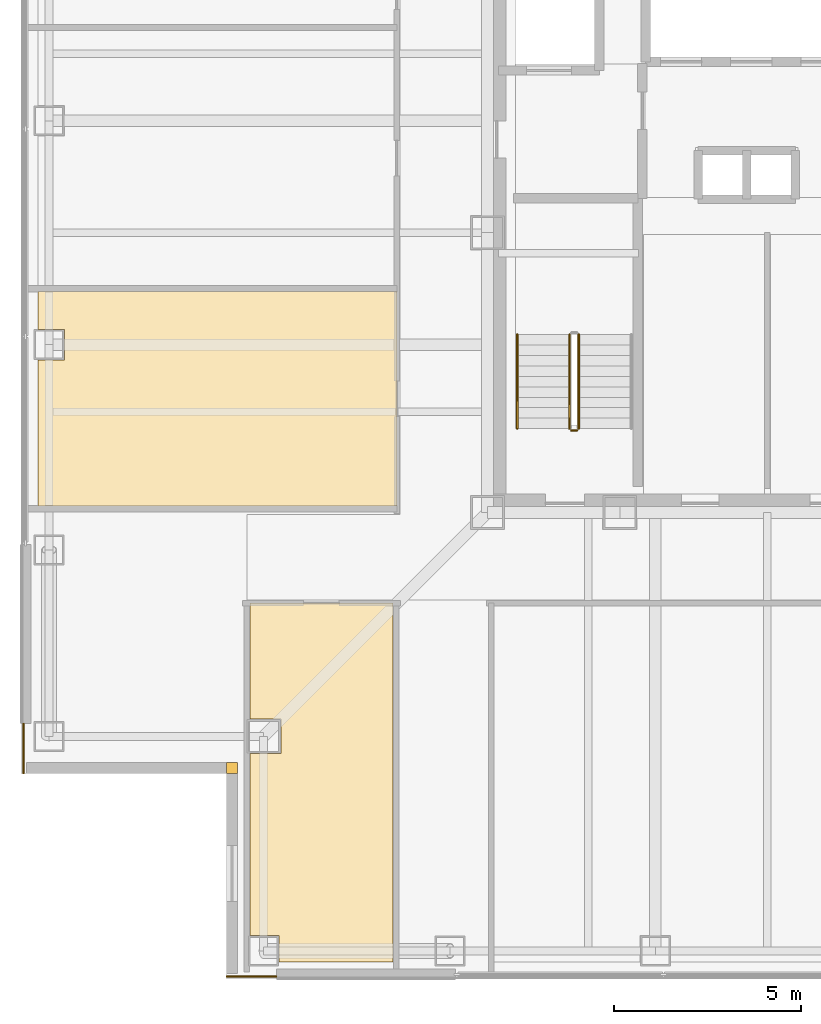
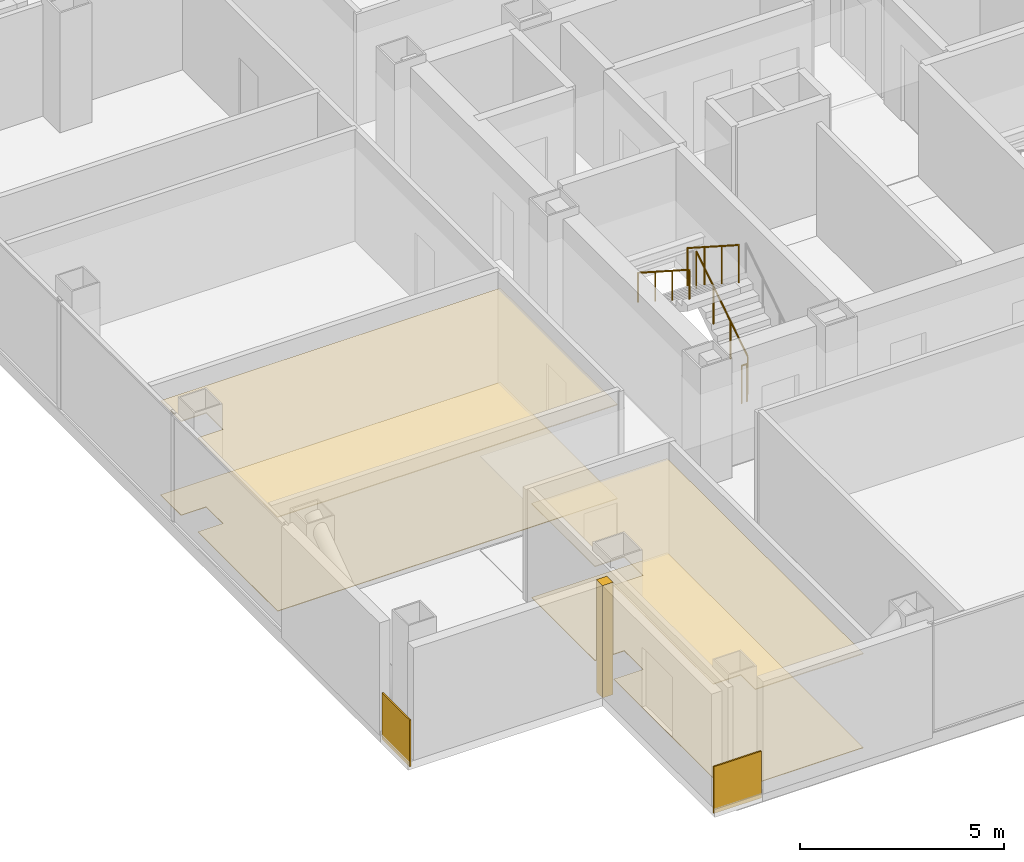
# One storey, part 11 of 16: 7 coverings, 4 railings.
"""IFC4 building model written with IfcOpenShell, lengths in metres."""

from ifc_helpers import new_model, si_unit, direction, frame, frame_2d, origin, origin_2d, place, context, subcontext, project, spatial, polyline, rectangle, circle, outline, extrude, material, layer, layer_set, type_object, element, save


model = new_model("IFC4")

# Units and contexts
model_context = context("Model", 3, precision=1e-05, world=origin(), true_north=direction((0.0, 1.0)))
body_context = subcontext(model_context, "Body", "Model", "MODEL_VIEW")
ifc_project = project(units=[si_unit("LENGTHUNIT", "METRE"), si_unit("AREAUNIT", "SQUARE_METRE"), si_unit("VOLUMEUNIT", "CUBIC_METRE"), si_unit("PLANEANGLEUNIT", "RADIAN"), si_unit("MASSUNIT", "GRAM", prefix="KILO")], contexts=[model_context])

# Site, building, storey
site_placement = place(None, origin())
site = spatial("IfcSite", under=ifc_project, at=site_placement, CompositionType="ELEMENT")
building_placement = place(site_placement, origin())
building = spatial("IfcBuilding", under=site, at=building_placement, Name="Trevonay Congress Spire", CompositionType="ELEMENT")
storey_placement = place(building_placement, frame((0.0, 0.0, 202.199951171875)))
storey = spatial("IfcBuildingStorey", under=building, at=storey_placement, Name="L52", CompositionType="ELEMENT", Elevation=202.199951171875)

# Coverings
ifc_material_1 = material(Name="Acoustic Mineral Fibre Board", Category="gypsum")
ifc_layer_1 = layer(ifc_material_1, 0.02490234375, Name="Acoustic Mineral Fibre Board")
ifc_layer_set_1 = layer_set([ifc_layer_1], Name="Acoustic Mineral Fibre Board")
covering_type_1 = type_object("IfcCoveringType", Name="COV-CEIL-ACOUSTIC", PredefinedType="CEILING", material=ifc_layer_set_1)
covering_1_placement = place(storey_placement, frame((0.0, 0.0, 2.81005859375)))
element("IfcCovering", 1, at=covering_1_placement, inside=storey, type_object=covering_type_1, Name="L52 Quiet Meditation Lounge acoustic suspended ceiling", PredefinedType="CEILING", context=body_context, shape_type="SweptSolid", body=[
    extrude(outline(polyline([(-13.8701171875, -9.929931640625), (-10.030029296875, -9.929931640625), (-10.030029296875, -19.550048828125), (-13.090087890625, -19.550048828125), (-13.090087890625, -18.840087890625), (-13.8701171875, -18.840087890625), (-13.8701171875, -13.9599609375), (-13.0400390625, -13.9599609375), (-13.0400390625, -13.0400390625), (-13.8701171875, -13.0400390625), (-13.8701171875, -9.929931640625)])), origin(), (0.0, 0.0, 1.0), 0.02490234375),
])
covering_2_placement = place(storey_placement, frame((0.0, 0.0, 2.81005859375)))
element("IfcCovering", 2, at=covering_2_placement, inside=storey, type_object=covering_type_1, Name="L52 Hydrotherapy Lounge acoustic suspended ceiling", PredefinedType="CEILING", context=body_context, shape_type="SweptSolid", body=[
    extrude(outline(polyline([(-19.550048828125, -1.580078125), (-9.929931640625, -1.580078125), (-9.929931640625, -7.320068359375), (-19.550048828125, -7.320068359375), (-19.550048828125, -3.409912109375), (-18.840087890625, -3.409912109375), (-18.840087890625, -2.590087890625), (-19.550048828125, -2.590087890625), (-19.550048828125, -1.580078125)])), origin(), (0.0, 0.0, 1.0), 0.02490234375),
])
ifc_material_2 = material(Name="Engineered Oak Flooring", Category="wood")
ifc_layer_2 = layer(ifc_material_2, 0.01806640625, Name="Engineered Oak Flooring")
ifc_layer_set_2 = layer_set([ifc_layer_2], Name="Engineered Oak Flooring")
covering_type_2 = type_object("IfcCoveringType", Name="COV-FLOOR-TIMBER", PredefinedType="FLOORING", material=ifc_layer_set_2)
covering_3_placement = place(storey_placement, origin())
element("IfcCovering", 3, at=covering_3_placement, inside=storey, type_object=covering_type_2, Name="L52 Quiet Meditation Lounge floor finish", PredefinedType="FLOORING", context=body_context, shape_type="SweptSolid", body=[
    extrude(outline(polyline([(-13.8701171875, -9.929931640625), (-10.030029296875, -9.929931640625), (-10.030029296875, -19.550048828125), (-13.090087890625, -19.550048828125), (-13.090087890625, -18.840087890625), (-13.8701171875, -18.840087890625), (-13.8701171875, -13.9599609375), (-13.0400390625, -13.9599609375), (-13.0400390625, -13.0400390625), (-13.8701171875, -13.0400390625), (-13.8701171875, -9.929931640625)])), origin(), (0.0, 0.0, 1.0), 0.01806640625),
])
covering_4_placement = place(storey_placement, origin())
element("IfcCovering", 4, at=covering_4_placement, inside=storey, type_object=covering_type_2, Name="L52 Hydrotherapy Lounge floor finish", PredefinedType="FLOORING", context=body_context, shape_type="SweptSolid", body=[
    extrude(outline(polyline([(-19.550048828125, -1.580078125), (-9.929931640625, -1.580078125), (-9.929931640625, -7.320068359375), (-19.550048828125, -7.320068359375), (-19.550048828125, -3.409912109375), (-18.840087890625, -3.409912109375), (-18.840087890625, -2.590087890625), (-19.550048828125, -2.590087890625), (-19.550048828125, -1.580078125)])), origin(), (0.0, 0.0, 1.0), 0.01806640625),
])
ifc_material_3 = material(Name="Pale Anodised Aluminium EN AW-6063-T6", Category="aluminium")
ifc_layer_3 = layer(ifc_material_3, 0.0400390625, Name="Pale Anodised Aluminium EN AW-6063-T6")
ifc_layer_set_3 = layer_set([ifc_layer_3], Name="Pale Anodised Aluminium EN AW-6063-T6")
covering_type_3 = type_object("IfcCoveringType", Name="COV-SPANDREL-PALE-METAL", PredefinedType="CLADDING", material=ifc_layer_set_3)
covering_5_placement = place(storey_placement, origin())
element("IfcCovering", 5, at=covering_5_placement, inside=storey, type_object=covering_type_3, Name="L52 SW re-entrant notch corner closure trim", PredefinedType="CLADDING", context=body_context, shape_type="SweptSolid", body=[
    extrude(outline(polyline([(-14.5, -14.5), (-14.199951171875, -14.5), (-14.199951171875, -14.199951171875), (-14.5, -14.199951171875), (-14.5, -14.5)])), origin(), (0.0, 0.0, 1.0), 3.360107421875),
])
for number, where, z_axis, x_axis, name in (
    (6, (-19.93994140625, -13.14990234375, -0.14990234375), (0.0, 0.0, 1.0), (0.0, -1.0, 0.0), "L52 SW corner pier spandrel cladding 1"),
    (7, (-13.14990234375, -19.93994140625, -0.14990234375), (0.0, 0.0, 1.0), (-1.0, 0.0, 0.0), "L52 SW corner pier spandrel cladding 2"),
):
    element("IfcCovering", number, at=place(storey_placement, frame(where, z_axis=z_axis, x_axis=x_axis)), inside=storey, type_object=covering_type_3, Name=name, PredefinedType="CLADDING", context=body_context, shape_type="SweptSolid", body=[
        extrude(rectangle(XDim=1.35009765625, YDim=0.0400390625, at=frame_2d((0.675048828125, 0.0))), origin(), (0.0, 0.0, 1.0), 1.39990234375),
    ])

# Railings
railing_type_1 = type_object("IfcRailingType", Name="RAL-STAIR-GUARD-110", PredefinedType="GUARDRAIL", material=ifc_material_3)
railing_1_placement = place(storey_placement, frame((-5.050048828125, -5.25, 0.179931640625)))
element("IfcRailing", 8, at=railing_1_placement, inside=storey, type_object=railing_type_1, Name="L52 ST-1 stair guard 1", PredefinedType="GUARDRAIL", context=body_context, shape_type="SweptSolid", body=[
    extrude(circle(Radius=0.02392578125, at=origin_2d()), frame((0.0, 0.0, 1.1259765625), z_axis=(0.0, 0.841162588446, 0.540782303519), x_axis=(-1.0, 0.0, 0.0)), (0.0, 0.0, 1.0), 2.995849609375),
    extrude(circle(Radius=0.02099609375, at=origin_2d()), origin(), (0.0, 0.0, 1.0), 1.101806640625),
    extrude(circle(Radius=0.02099609375, at=origin_2d()), frame((0.0, 0.840087890625, 0.5400390625)), (0.0, 0.0, 1.0), 1.101806640625),
    extrude(circle(Radius=0.02099609375, at=origin_2d()), frame((0.0, 1.679931640625, 1.080078125)), (0.0, 0.0, 1.0), 1.101806640625),
    extrude(circle(Radius=0.02099609375, at=origin_2d()), frame((0.0, 2.52001953125, 1.6201171875)), (0.0, 0.0, 1.0), 1.101806640625),
])
railing_2_placement = place(storey_placement, frame((-5.300048828125, -2.72998046875, 1.97998046875)))
element("IfcRailing", 9, at=railing_2_placement, inside=storey, type_object=railing_type_1, Name="L52 ST-1 stair guard 3", PredefinedType="GUARDRAIL", context=body_context, shape_type="SweptSolid", body=[
    extrude(circle(Radius=0.02392578125, at=origin_2d()), frame((0.0, 0.0, 1.1259765625), z_axis=(0.0, -0.841162588446, 0.540782303519), x_axis=(1.0, 0.0, 0.0)), (0.0, 0.0, 1.0), 2.995849609375),
    extrude(circle(Radius=0.02099609375, at=origin_2d()), origin(), (0.0, 0.0, 1.0), 1.101806640625),
    extrude(circle(Radius=0.02099609375, at=origin_2d()), frame((0.0, -0.840087890625, 0.5400390625)), (0.0, 0.0, 1.0), 1.101806640625),
    extrude(circle(Radius=0.02099609375, at=origin_2d()), frame((0.0, -1.679931640625, 1.080078125)), (0.0, 0.0, 1.0), 1.101806640625),
    extrude(circle(Radius=0.02099609375, at=origin_2d()), frame((0.0, -2.52001953125, 1.6201171875)), (0.0, 0.0, 1.0), 1.101806640625),
])
railing_3_placement = place(storey_placement, frame((-5.10009765625, -5.300048828125, 0.0)))
element("IfcRailing", 10, at=railing_3_placement, inside=storey, type_object=railing_type_1, Name="L52 ST-1 stair guard 4", PredefinedType="GUARDRAIL", context=body_context, shape_type="SweptSolid", body=[
    extrude(circle(Radius=0.02392578125, at=origin_2d()), frame((0.0, 0.0, 1.1259765625), z_axis=(-1.0, 0.0, 0.0), x_axis=(0.0, -1.0, 0.0)), (0.0, 0.0, 1.0), 0.14990234375),
    extrude(circle(Radius=0.02099609375, at=origin_2d()), origin(), (0.0, 0.0, 1.0), 1.101806640625),
    extrude(circle(Radius=0.02099609375, at=origin_2d()), frame((-0.14990234375, 0.0, 0.0)), (0.0, 0.0, 1.0), 1.101806640625),
])
railing_type_2 = type_object("IfcRailingType", Name="RAL-STAIR-HANDRAIL", PredefinedType="HANDRAIL", material=ifc_material_3)
railing_4_placement = place(storey_placement, frame((-6.699951171875, -2.72998046875, 1.97998046875)))
element("IfcRailing", 11, at=railing_4_placement, inside=storey, type_object=railing_type_2, Name="L52 ST-1 stair handrail 2", PredefinedType="HANDRAIL", context=body_context, shape_type="SweptSolid", body=[
    extrude(circle(Radius=0.02392578125, at=origin_2d()), frame((0.0, 0.0, 0.8759765625), z_axis=(0.0, -0.841162588446, 0.540782303519), x_axis=(1.0, 0.0, 0.0)), (0.0, 0.0, 1.0), 2.995849609375),
    extrude(circle(Radius=0.02099609375, at=origin_2d()), origin(), (0.0, 0.0, 1.0), 0.851806640625),
    extrude(circle(Radius=0.02099609375, at=origin_2d()), frame((0.0, -0.840087890625, 0.5400390625)), (0.0, 0.0, 1.0), 0.851806640625),
    extrude(circle(Radius=0.02099609375, at=origin_2d()), frame((0.0, -1.679931640625, 1.080078125)), (0.0, 0.0, 1.0), 0.851806640625),
    extrude(circle(Radius=0.02099609375, at=origin_2d()), frame((0.0, -2.52001953125, 1.6201171875)), (0.0, 0.0, 1.0), 0.851806640625),
])

save(model, "model.ifc")
